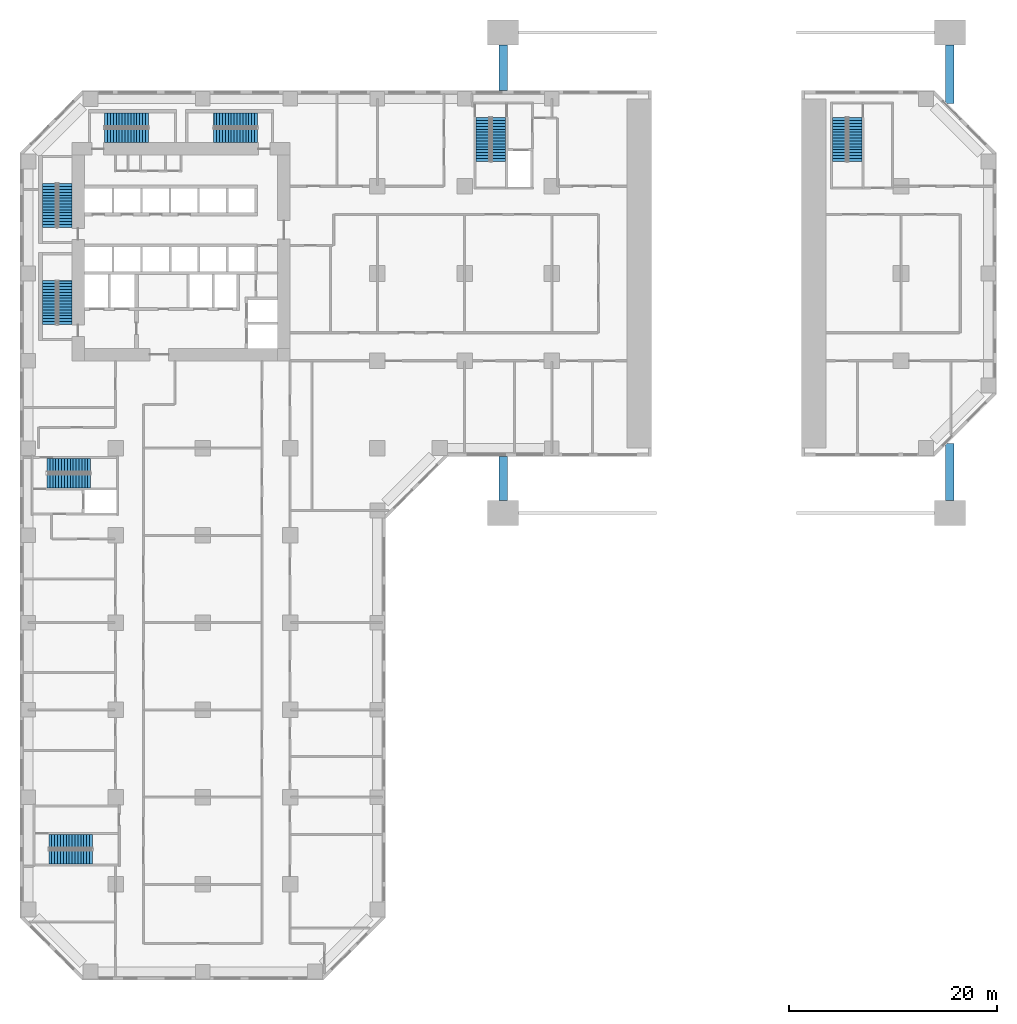
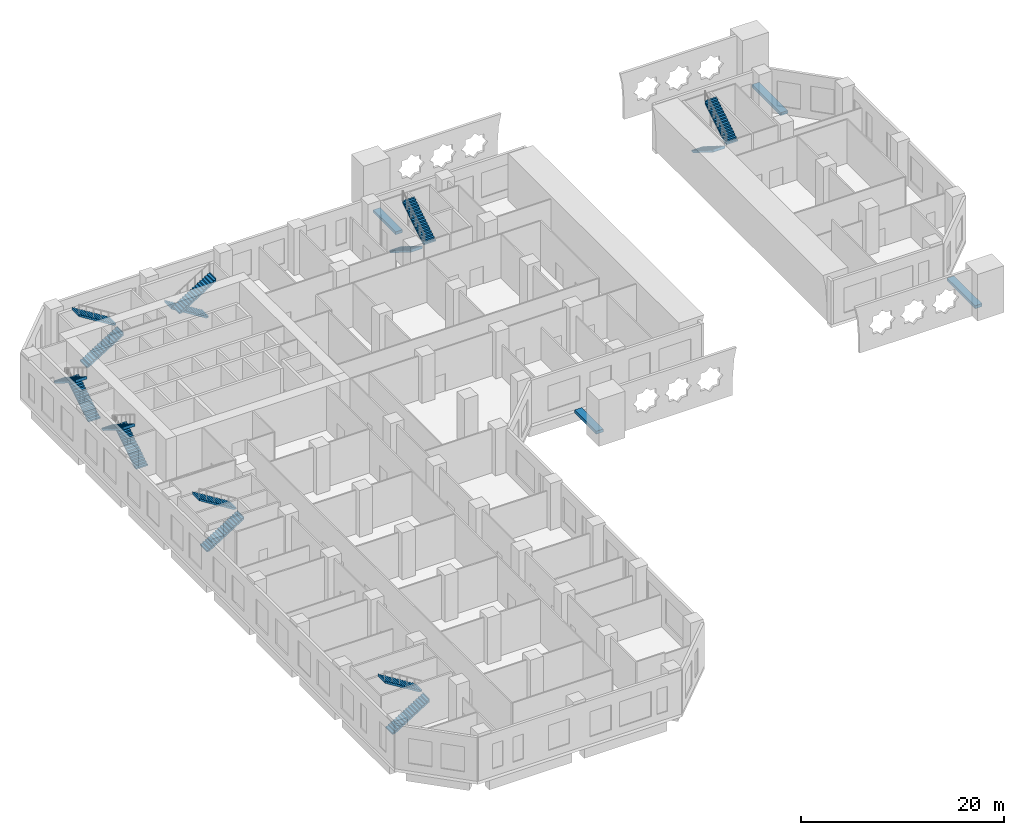
# One storey, part 11 of 17: 16 stair flights, 4 discrete accessories, 8 elements without a shape of their own.
"""IFC4 building model written with IfcOpenShell, lengths in metres."""

from ifc_helpers import new_model, si_unit, direction, frame, origin, origin_2d, place, context, subcontext, project, spatial, polyline, rectangle, outline, extrude, material, type_object, element, aggregate, save


model = new_model("IFC4")

# Units and contexts
model_context = context("Model", 3, precision=1e-05, world=origin(), true_north=direction((0.0, 1.0)))
body_context = subcontext(model_context, "Body", "Model", "MODEL_VIEW")
ifc_project = project(units=[si_unit("LENGTHUNIT", "METRE"), si_unit("AREAUNIT", "SQUARE_METRE"), si_unit("VOLUMEUNIT", "CUBIC_METRE"), si_unit("PLANEANGLEUNIT", "RADIAN"), si_unit("MASSUNIT", "GRAM", prefix="KILO")], contexts=[model_context])

# Site, building, storey
site_placement = place(None, origin())
site = spatial("IfcSite", under=ifc_project, at=site_placement, CompositionType="ELEMENT")
building_placement = place(site_placement, origin())
building = spatial("IfcBuilding", under=site, at=building_placement, Name="Kawkab Arch Medical Tower", CompositionType="ELEMENT")
storey_placement = place(building_placement, frame((0.0, 0.0, 7.0)))
storey = spatial("IfcBuildingStorey", under=building, at=storey_placement, Name="L02", CompositionType="ELEMENT", Elevation=7.0)

# Stair, stair flights
ifc_material_1 = material(Name="Concrete C40/50", Category="concrete")
stair_type = type_object("IfcStairType", Name="Exit stair 1350", PredefinedType="HALF_TURN_STAIR", material=ifc_material_1)
placement = place(storey_placement, origin())
stair_1 = element("IfcStair", 1, at=placement, inside=storey, type_object=stair_type, Name="L02 Exit stair ST1", PredefinedType="HALF_TURN_STAIR")
ifc_material_2 = material(Name="Concrete C40/50", Category="concrete")
stair_flight_type = type_object("IfcStairFlightType", Name="Exit stair flight 1350", PredefinedType="STRAIGHT", material=ifc_material_2)
stair_flight_1_placement = place(storey_placement, frame((3.52490234375, -12.35009765625, 0.0), z_axis=(0.0, 0.0, 1.0), x_axis=(0.0, 1.0, 0.0)))
stair_flight_1 = element("IfcStairFlight", 2, at=stair_flight_1_placement, type_object=stair_flight_type, Name="ST1 flight 1", NumberOfRisers=16, NumberOfTreads=15, PredefinedType="STRAIGHT", RiserHeight=0.175, TreadLength=0.28, context=body_context, shape_type="SweptSolid", body=[
    extrude(outline(polyline([(-0.0029296875, 0.0), (-0.0029296875, 0.175048828125), (0.0, 0.175048828125), (0.280029296875, 0.175048828125), (0.280029296875, 0.35009765625), (0.56005859375, 0.35009765625), (0.56005859375, 0.52490234375), (0.840087890625, 0.52490234375), (0.840087890625, 0.699951171875), (1.1201171875, 0.699951171875), (1.1201171875, 0.875), (1.39990234375, 0.875), (1.39990234375, 1.050048828125), (1.679931640625, 1.050048828125), (1.679931640625, 1.22509765625), (1.9599609375, 1.22509765625), (1.9599609375, 1.39990234375), (2.239990234375, 1.39990234375), (2.239990234375, 1.574951171875), (2.52001953125, 1.574951171875), (2.52001953125, 1.75), (2.800048828125, 1.75), (2.800048828125, 1.925048828125), (3.080078125, 1.925048828125), (3.080078125, 2.10009765625), (3.360107421875, 2.10009765625), (3.360107421875, 2.27490234375), (3.639892578125, 2.27490234375), (3.639892578125, 2.449951171875), (3.919921875, 2.449951171875), (3.919921875, 2.625), (4.199951171875, 2.625), (4.199951171875, 2.800048828125), (4.202880859375, 2.800048828125), (4.202880859375, 2.4482421875), (4.199951171875, 2.4482421875), (0.28271484375, 0.0), (-0.0029296875, 0.0)])), frame((0.0, 0.675048828125, 0.0), z_axis=(0.0, -1.0, 0.0), x_axis=(1.0, 0.0, 0.0)), (0.0, 0.0, 1.0), 1.35009765625),
])
stair_flight_2_placement = place(storey_placement, frame((2.02490234375, -8.14990234375, 2.800048828125), z_axis=(0.0, 0.0, 1.0), x_axis=(0.0, -1.0, 0.0)))
stair_flight_2 = element("IfcStairFlight", 3, at=stair_flight_2_placement, type_object=stair_flight_type, Name="ST1 flight 2", NumberOfRisers=16, NumberOfTreads=15, PredefinedType="STRAIGHT", RiserHeight=0.175, TreadLength=0.28, context=body_context, shape_type="SweptSolid", body=[
    extrude(outline(polyline([(-0.0029296875, 0.0), (-0.0029296875, 0.175048828125), (0.0, 0.175048828125), (0.280029296875, 0.175048828125), (0.280029296875, 0.35009765625), (0.56005859375, 0.35009765625), (0.56005859375, 0.52490234375), (0.840087890625, 0.52490234375), (0.840087890625, 0.699951171875), (1.1201171875, 0.699951171875), (1.1201171875, 0.875), (1.39990234375, 0.875), (1.39990234375, 1.050048828125), (1.679931640625, 1.050048828125), (1.679931640625, 1.22509765625), (1.9599609375, 1.22509765625), (1.9599609375, 1.39990234375), (2.239990234375, 1.39990234375), (2.239990234375, 1.574951171875), (2.52001953125, 1.574951171875), (2.52001953125, 1.75), (2.800048828125, 1.75), (2.800048828125, 1.925048828125), (3.080078125, 1.925048828125), (3.080078125, 2.10009765625), (3.360107421875, 2.10009765625), (3.360107421875, 2.27490234375), (3.639892578125, 2.27490234375), (3.639892578125, 2.449951171875), (3.919921875, 2.449951171875), (3.919921875, 2.625), (4.199951171875, 2.625), (4.199951171875, 2.800048828125), (4.202880859375, 2.800048828125), (4.202880859375, 2.4482421875), (4.199951171875, 2.4482421875), (0.28271484375, 0.0), (-0.0029296875, 0.0)])), frame((0.0, 0.675048828125, 0.0), z_axis=(0.0, -1.0, 0.0), x_axis=(1.0, 0.0, 0.0)), (0.0, 0.0, 1.0), 1.35009765625),
])
aggregate(stair_1, [stair_flight_1, stair_flight_2])

stair_2 = element("IfcStair", 4, at=placement, inside=storey, type_object=stair_type, Name="L02 Exit stair ST10", PredefinedType="HALF_TURN_STAIR")
stair_flight_3_placement = place(storey_placement, frame((1.97509765625, -72.97509765625, 0.0), z_axis=(0.0, 0.0, 1.0), x_axis=(1.0, 0.0, 0.0)))
stair_flight_3 = element("IfcStairFlight", 5, at=stair_flight_3_placement, type_object=stair_flight_type, Name="ST10 flight 1", NumberOfRisers=16, NumberOfTreads=15, PredefinedType="STRAIGHT", RiserHeight=0.175, TreadLength=0.28, context=body_context, shape_type="SweptSolid", body=[
    extrude(outline(polyline([(-0.0029296875, 0.0), (-0.0029296875, 0.175048828125), (0.0, 0.175048828125), (0.280029296875, 0.175048828125), (0.280029296875, 0.35009765625), (0.56005859375, 0.35009765625), (0.56005859375, 0.52490234375), (0.840087890625, 0.52490234375), (0.840087890625, 0.699951171875), (1.1201171875, 0.699951171875), (1.1201171875, 0.875), (1.39990234375, 0.875), (1.39990234375, 1.050048828125), (1.679931640625, 1.050048828125), (1.679931640625, 1.22509765625), (1.9599609375, 1.22509765625), (1.9599609375, 1.39990234375), (2.239990234375, 1.39990234375), (2.239990234375, 1.574951171875), (2.52001953125, 1.574951171875), (2.52001953125, 1.75), (2.800048828125, 1.75), (2.800048828125, 1.925048828125), (3.080078125, 1.925048828125), (3.080078125, 2.10009765625), (3.360107421875, 2.10009765625), (3.360107421875, 2.27490234375), (3.639892578125, 2.27490234375), (3.639892578125, 2.449951171875), (3.919921875, 2.449951171875), (3.919921875, 2.625), (4.199951171875, 2.625), (4.199951171875, 2.800048828125), (4.202880859375, 2.800048828125), (4.202880859375, 2.4482421875), (4.199951171875, 2.4482421875), (0.28271484375, 0.0), (-0.0029296875, 0.0)])), frame((0.0, 0.675048828125, 0.0), z_axis=(0.0, -1.0, 0.0), x_axis=(1.0, 0.0, 0.0)), (0.0, 0.0, 1.0), 1.35009765625),
])
stair_flight_4_placement = place(storey_placement, frame((6.175048828125, -71.47509765625, 2.800048828125), z_axis=(0.0, 0.0, 1.0), x_axis=(-1.0, 0.0, 0.0)))
stair_flight_4 = element("IfcStairFlight", 6, at=stair_flight_4_placement, type_object=stair_flight_type, Name="ST10 flight 2", NumberOfRisers=16, NumberOfTreads=15, PredefinedType="STRAIGHT", RiserHeight=0.175, TreadLength=0.28, context=body_context, shape_type="SweptSolid", body=[
    extrude(outline(polyline([(-0.0029296875, 0.0), (-0.0029296875, 0.175048828125), (0.0, 0.175048828125), (0.280029296875, 0.175048828125), (0.280029296875, 0.35009765625), (0.56005859375, 0.35009765625), (0.56005859375, 0.52490234375), (0.840087890625, 0.52490234375), (0.840087890625, 0.699951171875), (1.1201171875, 0.699951171875), (1.1201171875, 0.875), (1.39990234375, 0.875), (1.39990234375, 1.050048828125), (1.679931640625, 1.050048828125), (1.679931640625, 1.22509765625), (1.9599609375, 1.22509765625), (1.9599609375, 1.39990234375), (2.239990234375, 1.39990234375), (2.239990234375, 1.574951171875), (2.52001953125, 1.574951171875), (2.52001953125, 1.75), (2.800048828125, 1.75), (2.800048828125, 1.925048828125), (3.080078125, 1.925048828125), (3.080078125, 2.10009765625), (3.360107421875, 2.10009765625), (3.360107421875, 2.27490234375), (3.639892578125, 2.27490234375), (3.639892578125, 2.449951171875), (3.919921875, 2.449951171875), (3.919921875, 2.625), (4.199951171875, 2.625), (4.199951171875, 2.800048828125), (4.202880859375, 2.800048828125), (4.202880859375, 2.4482421875), (4.199951171875, 2.4482421875), (0.28271484375, 0.0), (-0.0029296875, 0.0)])), frame((0.0, 0.675048828125, 0.0), z_axis=(0.0, -1.0, 0.0), x_axis=(1.0, 0.0, 0.0)), (0.0, 0.0, 1.0), 1.35009765625),
])
aggregate(stair_2, [stair_flight_3, stair_flight_4])

stair_3 = element("IfcStair", 7, at=placement, inside=storey, type_object=stair_type, Name="L02 Exit stair ST2", PredefinedType="HALF_TURN_STAIR")
stair_flight_5_placement = place(storey_placement, frame((3.52490234375, -21.699951171875, 0.0), z_axis=(0.0, 0.0, 1.0), x_axis=(0.0, 1.0, 0.0)))
stair_flight_5 = element("IfcStairFlight", 8, at=stair_flight_5_placement, type_object=stair_flight_type, Name="ST2 flight 1", NumberOfRisers=16, NumberOfTreads=15, PredefinedType="STRAIGHT", RiserHeight=0.175, TreadLength=0.28, context=body_context, shape_type="SweptSolid", body=[
    extrude(outline(polyline([(-0.0029296875, 0.0), (-0.0029296875, 0.175048828125), (0.0, 0.175048828125), (0.280029296875, 0.175048828125), (0.280029296875, 0.35009765625), (0.56005859375, 0.35009765625), (0.56005859375, 0.52490234375), (0.840087890625, 0.52490234375), (0.840087890625, 0.699951171875), (1.1201171875, 0.699951171875), (1.1201171875, 0.875), (1.39990234375, 0.875), (1.39990234375, 1.050048828125), (1.679931640625, 1.050048828125), (1.679931640625, 1.22509765625), (1.9599609375, 1.22509765625), (1.9599609375, 1.39990234375), (2.239990234375, 1.39990234375), (2.239990234375, 1.574951171875), (2.52001953125, 1.574951171875), (2.52001953125, 1.75), (2.800048828125, 1.75), (2.800048828125, 1.925048828125), (3.080078125, 1.925048828125), (3.080078125, 2.10009765625), (3.360107421875, 2.10009765625), (3.360107421875, 2.27490234375), (3.639892578125, 2.27490234375), (3.639892578125, 2.449951171875), (3.919921875, 2.449951171875), (3.919921875, 2.625), (4.199951171875, 2.625), (4.199951171875, 2.800048828125), (4.202880859375, 2.800048828125), (4.202880859375, 2.4482421875), (4.199951171875, 2.4482421875), (0.28271484375, 0.0), (-0.0029296875, 0.0)])), frame((0.0, 0.675048828125, 0.0), z_axis=(0.0, -1.0, 0.0), x_axis=(1.0, 0.0, 0.0)), (0.0, 0.0, 1.0), 1.35009765625),
])
stair_flight_6_placement = place(storey_placement, frame((2.02490234375, -17.5, 2.800048828125), z_axis=(0.0, 0.0, 1.0), x_axis=(0.0, -1.0, 0.0)))
stair_flight_6 = element("IfcStairFlight", 9, at=stair_flight_6_placement, type_object=stair_flight_type, Name="ST2 flight 2", NumberOfRisers=16, NumberOfTreads=15, PredefinedType="STRAIGHT", RiserHeight=0.175, TreadLength=0.28, context=body_context, shape_type="SweptSolid", body=[
    extrude(outline(polyline([(-0.0029296875, 0.0), (-0.0029296875, 0.175048828125), (0.0, 0.175048828125), (0.280029296875, 0.175048828125), (0.280029296875, 0.35009765625), (0.56005859375, 0.35009765625), (0.56005859375, 0.52490234375), (0.840087890625, 0.52490234375), (0.840087890625, 0.699951171875), (1.1201171875, 0.699951171875), (1.1201171875, 0.875), (1.39990234375, 0.875), (1.39990234375, 1.050048828125), (1.679931640625, 1.050048828125), (1.679931640625, 1.22509765625), (1.9599609375, 1.22509765625), (1.9599609375, 1.39990234375), (2.239990234375, 1.39990234375), (2.239990234375, 1.574951171875), (2.52001953125, 1.574951171875), (2.52001953125, 1.75), (2.800048828125, 1.75), (2.800048828125, 1.925048828125), (3.080078125, 1.925048828125), (3.080078125, 2.10009765625), (3.360107421875, 2.10009765625), (3.360107421875, 2.27490234375), (3.639892578125, 2.27490234375), (3.639892578125, 2.449951171875), (3.919921875, 2.449951171875), (3.919921875, 2.625), (4.199951171875, 2.625), (4.199951171875, 2.800048828125), (4.202880859375, 2.800048828125), (4.202880859375, 2.4482421875), (4.199951171875, 2.4482421875), (0.28271484375, 0.0), (-0.0029296875, 0.0)])), frame((0.0, 0.675048828125, 0.0), z_axis=(0.0, -1.0, 0.0), x_axis=(1.0, 0.0, 0.0)), (0.0, 0.0, 1.0), 1.35009765625),
])
aggregate(stair_3, [stair_flight_5, stair_flight_6])

stair_4 = element("IfcStair", 10, at=placement, inside=storey, type_object=stair_type, Name="L02 Exit stair ST3", PredefinedType="HALF_TURN_STAIR")
stair_flight_7_placement = place(storey_placement, frame((7.35009765625, -3.52490234375, 0.0), z_axis=(0.0, 0.0, 1.0), x_axis=(1.0, 0.0, 0.0)))
stair_flight_7 = element("IfcStairFlight", 11, at=stair_flight_7_placement, type_object=stair_flight_type, Name="ST3 flight 1", NumberOfRisers=16, NumberOfTreads=15, PredefinedType="STRAIGHT", RiserHeight=0.175, TreadLength=0.28, context=body_context, shape_type="SweptSolid", body=[
    extrude(outline(polyline([(-0.0029296875, 0.0), (-0.0029296875, 0.175048828125), (0.0, 0.175048828125), (0.280029296875, 0.175048828125), (0.280029296875, 0.35009765625), (0.56005859375, 0.35009765625), (0.56005859375, 0.52490234375), (0.840087890625, 0.52490234375), (0.840087890625, 0.699951171875), (1.1201171875, 0.699951171875), (1.1201171875, 0.875), (1.39990234375, 0.875), (1.39990234375, 1.050048828125), (1.679931640625, 1.050048828125), (1.679931640625, 1.22509765625), (1.9599609375, 1.22509765625), (1.9599609375, 1.39990234375), (2.239990234375, 1.39990234375), (2.239990234375, 1.574951171875), (2.52001953125, 1.574951171875), (2.52001953125, 1.75), (2.800048828125, 1.75), (2.800048828125, 1.925048828125), (3.080078125, 1.925048828125), (3.080078125, 2.10009765625), (3.360107421875, 2.10009765625), (3.360107421875, 2.27490234375), (3.639892578125, 2.27490234375), (3.639892578125, 2.449951171875), (3.919921875, 2.449951171875), (3.919921875, 2.625), (4.199951171875, 2.625), (4.199951171875, 2.800048828125), (4.202880859375, 2.800048828125), (4.202880859375, 2.4482421875), (4.199951171875, 2.4482421875), (0.28271484375, 0.0), (-0.0029296875, 0.0)])), frame((0.0, 0.675048828125, 0.0), z_axis=(0.0, -1.0, 0.0), x_axis=(1.0, 0.0, 0.0)), (0.0, 0.0, 1.0), 1.35009765625),
])
stair_flight_8_placement = place(storey_placement, frame((11.550048828125, -2.02490234375, 2.800048828125), z_axis=(0.0, 0.0, 1.0), x_axis=(-1.0, 0.0, 0.0)))
stair_flight_8 = element("IfcStairFlight", 12, at=stair_flight_8_placement, type_object=stair_flight_type, Name="ST3 flight 2", NumberOfRisers=16, NumberOfTreads=15, PredefinedType="STRAIGHT", RiserHeight=0.175, TreadLength=0.28, context=body_context, shape_type="SweptSolid", body=[
    extrude(outline(polyline([(-0.0029296875, 0.0), (-0.0029296875, 0.175048828125), (0.0, 0.175048828125), (0.280029296875, 0.175048828125), (0.280029296875, 0.35009765625), (0.56005859375, 0.35009765625), (0.56005859375, 0.52490234375), (0.840087890625, 0.52490234375), (0.840087890625, 0.699951171875), (1.1201171875, 0.699951171875), (1.1201171875, 0.875), (1.39990234375, 0.875), (1.39990234375, 1.050048828125), (1.679931640625, 1.050048828125), (1.679931640625, 1.22509765625), (1.9599609375, 1.22509765625), (1.9599609375, 1.39990234375), (2.239990234375, 1.39990234375), (2.239990234375, 1.574951171875), (2.52001953125, 1.574951171875), (2.52001953125, 1.75), (2.800048828125, 1.75), (2.800048828125, 1.925048828125), (3.080078125, 1.925048828125), (3.080078125, 2.10009765625), (3.360107421875, 2.10009765625), (3.360107421875, 2.27490234375), (3.639892578125, 2.27490234375), (3.639892578125, 2.449951171875), (3.919921875, 2.449951171875), (3.919921875, 2.625), (4.199951171875, 2.625), (4.199951171875, 2.800048828125), (4.202880859375, 2.800048828125), (4.202880859375, 2.4482421875), (4.199951171875, 2.4482421875), (0.28271484375, 0.0), (-0.0029296875, 0.0)])), frame((0.0, 0.675048828125, 0.0), z_axis=(0.0, -1.0, 0.0), x_axis=(1.0, 0.0, 0.0)), (0.0, 0.0, 1.0), 1.35009765625),
])
aggregate(stair_4, [stair_flight_7, stair_flight_8])

stair_5 = element("IfcStair", 13, at=placement, inside=storey, type_object=stair_type, Name="L02 Exit stair ST4", PredefinedType="HALF_TURN_STAIR")
stair_flight_9_placement = place(storey_placement, frame((22.050048828125, -2.02490234375, 0.0), z_axis=(0.0, 0.0, 1.0), x_axis=(-1.0, 0.0, 0.0)))
stair_flight_9 = element("IfcStairFlight", 14, at=stair_flight_9_placement, type_object=stair_flight_type, Name="ST4 flight 1", NumberOfRisers=16, NumberOfTreads=15, PredefinedType="STRAIGHT", RiserHeight=0.175, TreadLength=0.28, context=body_context, shape_type="SweptSolid", body=[
    extrude(outline(polyline([(-0.0029296875, 0.0), (-0.0029296875, 0.175048828125), (0.0, 0.175048828125), (0.280029296875, 0.175048828125), (0.280029296875, 0.35009765625), (0.56005859375, 0.35009765625), (0.56005859375, 0.52490234375), (0.840087890625, 0.52490234375), (0.840087890625, 0.699951171875), (1.1201171875, 0.699951171875), (1.1201171875, 0.875), (1.39990234375, 0.875), (1.39990234375, 1.050048828125), (1.679931640625, 1.050048828125), (1.679931640625, 1.22509765625), (1.9599609375, 1.22509765625), (1.9599609375, 1.39990234375), (2.239990234375, 1.39990234375), (2.239990234375, 1.574951171875), (2.52001953125, 1.574951171875), (2.52001953125, 1.75), (2.800048828125, 1.75), (2.800048828125, 1.925048828125), (3.080078125, 1.925048828125), (3.080078125, 2.10009765625), (3.360107421875, 2.10009765625), (3.360107421875, 2.27490234375), (3.639892578125, 2.27490234375), (3.639892578125, 2.449951171875), (3.919921875, 2.449951171875), (3.919921875, 2.625), (4.199951171875, 2.625), (4.199951171875, 2.800048828125), (4.202880859375, 2.800048828125), (4.202880859375, 2.4482421875), (4.199951171875, 2.4482421875), (0.28271484375, 0.0), (-0.0029296875, 0.0)])), frame((0.0, 0.675048828125, 0.0), z_axis=(0.0, -1.0, 0.0), x_axis=(1.0, 0.0, 0.0)), (0.0, 0.0, 1.0), 1.35009765625),
])
stair_flight_10_placement = place(storey_placement, frame((17.85009765625, -3.52490234375, 2.800048828125), z_axis=(0.0, 0.0, 1.0), x_axis=(1.0, 0.0, 0.0)))
stair_flight_10 = element("IfcStairFlight", 15, at=stair_flight_10_placement, type_object=stair_flight_type, Name="ST4 flight 2", NumberOfRisers=16, NumberOfTreads=15, PredefinedType="STRAIGHT", RiserHeight=0.175, TreadLength=0.28, context=body_context, shape_type="SweptSolid", body=[
    extrude(outline(polyline([(-0.0029296875, 0.0), (-0.0029296875, 0.175048828125), (0.0, 0.175048828125), (0.280029296875, 0.175048828125), (0.280029296875, 0.35009765625), (0.56005859375, 0.35009765625), (0.56005859375, 0.52490234375), (0.840087890625, 0.52490234375), (0.840087890625, 0.699951171875), (1.1201171875, 0.699951171875), (1.1201171875, 0.875), (1.39990234375, 0.875), (1.39990234375, 1.050048828125), (1.679931640625, 1.050048828125), (1.679931640625, 1.22509765625), (1.9599609375, 1.22509765625), (1.9599609375, 1.39990234375), (2.239990234375, 1.39990234375), (2.239990234375, 1.574951171875), (2.52001953125, 1.574951171875), (2.52001953125, 1.75), (2.800048828125, 1.75), (2.800048828125, 1.925048828125), (3.080078125, 1.925048828125), (3.080078125, 2.10009765625), (3.360107421875, 2.10009765625), (3.360107421875, 2.27490234375), (3.639892578125, 2.27490234375), (3.639892578125, 2.449951171875), (3.919921875, 2.449951171875), (3.919921875, 2.625), (4.199951171875, 2.625), (4.199951171875, 2.800048828125), (4.202880859375, 2.800048828125), (4.202880859375, 2.4482421875), (4.199951171875, 2.4482421875), (0.28271484375, 0.0), (-0.0029296875, 0.0)])), frame((0.0, 0.675048828125, 0.0), z_axis=(0.0, -1.0, 0.0), x_axis=(1.0, 0.0, 0.0)), (0.0, 0.0, 1.0), 1.35009765625),
])
aggregate(stair_5, [stair_flight_9, stair_flight_10])

stair_6 = element("IfcStair", 16, at=placement, inside=storey, type_object=stair_type, Name="L02 Exit stair ST5", PredefinedType="HALF_TURN_STAIR")
stair_flight_11_placement = place(storey_placement, frame((43.77490234375, -1.800048828125, 0.0), z_axis=(0.0, 0.0, 1.0), x_axis=(0.0, -1.0, 0.0)))
stair_flight_11 = element("IfcStairFlight", 17, at=stair_flight_11_placement, type_object=stair_flight_type, Name="ST5 flight 1", NumberOfRisers=16, NumberOfTreads=15, PredefinedType="STRAIGHT", RiserHeight=0.175, TreadLength=0.28, context=body_context, shape_type="SweptSolid", body=[
    extrude(outline(polyline([(-0.0029296875, 0.0), (-0.0029296875, 0.175048828125), (0.0, 0.175048828125), (0.280029296875, 0.175048828125), (0.280029296875, 0.35009765625), (0.56005859375, 0.35009765625), (0.56005859375, 0.52490234375), (0.840087890625, 0.52490234375), (0.840087890625, 0.699951171875), (1.1201171875, 0.699951171875), (1.1201171875, 0.875), (1.39990234375, 0.875), (1.39990234375, 1.050048828125), (1.679931640625, 1.050048828125), (1.679931640625, 1.22509765625), (1.9599609375, 1.22509765625), (1.9599609375, 1.39990234375), (2.239990234375, 1.39990234375), (2.239990234375, 1.574951171875), (2.52001953125, 1.574951171875), (2.52001953125, 1.75), (2.800048828125, 1.75), (2.800048828125, 1.925048828125), (3.080078125, 1.925048828125), (3.080078125, 2.10009765625), (3.360107421875, 2.10009765625), (3.360107421875, 2.27490234375), (3.639892578125, 2.27490234375), (3.639892578125, 2.449951171875), (3.919921875, 2.449951171875), (3.919921875, 2.625), (4.199951171875, 2.625), (4.199951171875, 2.800048828125), (4.202880859375, 2.800048828125), (4.202880859375, 2.4482421875), (4.199951171875, 2.4482421875), (0.28271484375, 0.0), (-0.0029296875, 0.0)])), frame((0.0, 0.675048828125, 0.0), z_axis=(0.0, -1.0, 0.0), x_axis=(1.0, 0.0, 0.0)), (0.0, 0.0, 1.0), 1.35009765625),
])
stair_flight_12_placement = place(storey_placement, frame((45.27490234375, -6.0, 2.800048828125), z_axis=(0.0, 0.0, 1.0), x_axis=(0.0, 1.0, 0.0)))
stair_flight_12 = element("IfcStairFlight", 18, at=stair_flight_12_placement, type_object=stair_flight_type, Name="ST5 flight 2", NumberOfRisers=16, NumberOfTreads=15, PredefinedType="STRAIGHT", RiserHeight=0.175, TreadLength=0.28, context=body_context, shape_type="SweptSolid", body=[
    extrude(outline(polyline([(-0.0029296875, 0.0), (-0.0029296875, 0.175048828125), (0.0, 0.175048828125), (0.280029296875, 0.175048828125), (0.280029296875, 0.35009765625), (0.56005859375, 0.35009765625), (0.56005859375, 0.52490234375), (0.840087890625, 0.52490234375), (0.840087890625, 0.699951171875), (1.1201171875, 0.699951171875), (1.1201171875, 0.875), (1.39990234375, 0.875), (1.39990234375, 1.050048828125), (1.679931640625, 1.050048828125), (1.679931640625, 1.22509765625), (1.9599609375, 1.22509765625), (1.9599609375, 1.39990234375), (2.239990234375, 1.39990234375), (2.239990234375, 1.574951171875), (2.52001953125, 1.574951171875), (2.52001953125, 1.75), (2.800048828125, 1.75), (2.800048828125, 1.925048828125), (3.080078125, 1.925048828125), (3.080078125, 2.10009765625), (3.360107421875, 2.10009765625), (3.360107421875, 2.27490234375), (3.639892578125, 2.27490234375), (3.639892578125, 2.449951171875), (3.919921875, 2.449951171875), (3.919921875, 2.625), (4.199951171875, 2.625), (4.199951171875, 2.800048828125), (4.202880859375, 2.800048828125), (4.202880859375, 2.4482421875), (4.199951171875, 2.4482421875), (0.28271484375, 0.0), (-0.0029296875, 0.0)])), frame((0.0, 0.675048828125, 0.0), z_axis=(0.0, -1.0, 0.0), x_axis=(1.0, 0.0, 0.0)), (0.0, 0.0, 1.0), 1.35009765625),
])
aggregate(stair_6, [stair_flight_11, stair_flight_12])

stair_7 = element("IfcStair", 19, at=placement, inside=storey, type_object=stair_type, Name="L02 Exit stair ST6", PredefinedType="HALF_TURN_STAIR")
stair_flight_13_placement = place(storey_placement, frame((1.800048828125, -36.77490234375, 0.0), z_axis=(0.0, 0.0, 1.0), x_axis=(1.0, 0.0, 0.0)))
stair_flight_13 = element("IfcStairFlight", 20, at=stair_flight_13_placement, type_object=stair_flight_type, Name="ST6 flight 1", NumberOfRisers=16, NumberOfTreads=15, PredefinedType="STRAIGHT", RiserHeight=0.175, TreadLength=0.28, context=body_context, shape_type="SweptSolid", body=[
    extrude(outline(polyline([(-0.0029296875, 0.0), (-0.0029296875, 0.175048828125), (0.0, 0.175048828125), (0.280029296875, 0.175048828125), (0.280029296875, 0.35009765625), (0.56005859375, 0.35009765625), (0.56005859375, 0.52490234375), (0.840087890625, 0.52490234375), (0.840087890625, 0.699951171875), (1.1201171875, 0.699951171875), (1.1201171875, 0.875), (1.39990234375, 0.875), (1.39990234375, 1.050048828125), (1.679931640625, 1.050048828125), (1.679931640625, 1.22509765625), (1.9599609375, 1.22509765625), (1.9599609375, 1.39990234375), (2.239990234375, 1.39990234375), (2.239990234375, 1.574951171875), (2.52001953125, 1.574951171875), (2.52001953125, 1.75), (2.800048828125, 1.75), (2.800048828125, 1.925048828125), (3.080078125, 1.925048828125), (3.080078125, 2.10009765625), (3.360107421875, 2.10009765625), (3.360107421875, 2.27490234375), (3.639892578125, 2.27490234375), (3.639892578125, 2.449951171875), (3.919921875, 2.449951171875), (3.919921875, 2.625), (4.199951171875, 2.625), (4.199951171875, 2.800048828125), (4.202880859375, 2.800048828125), (4.202880859375, 2.4482421875), (4.199951171875, 2.4482421875), (0.28271484375, 0.0), (-0.0029296875, 0.0)])), frame((0.0, 0.675048828125, 0.0), z_axis=(0.0, -1.0, 0.0), x_axis=(1.0, 0.0, 0.0)), (0.0, 0.0, 1.0), 1.35009765625),
])
stair_flight_14_placement = place(storey_placement, frame((6.0, -35.27490234375, 2.800048828125), z_axis=(0.0, 0.0, 1.0), x_axis=(-1.0, 0.0, 0.0)))
stair_flight_14 = element("IfcStairFlight", 21, at=stair_flight_14_placement, type_object=stair_flight_type, Name="ST6 flight 2", NumberOfRisers=16, NumberOfTreads=15, PredefinedType="STRAIGHT", RiserHeight=0.175, TreadLength=0.28, context=body_context, shape_type="SweptSolid", body=[
    extrude(outline(polyline([(-0.0029296875, 0.0), (-0.0029296875, 0.175048828125), (0.0, 0.175048828125), (0.280029296875, 0.175048828125), (0.280029296875, 0.35009765625), (0.56005859375, 0.35009765625), (0.56005859375, 0.52490234375), (0.840087890625, 0.52490234375), (0.840087890625, 0.699951171875), (1.1201171875, 0.699951171875), (1.1201171875, 0.875), (1.39990234375, 0.875), (1.39990234375, 1.050048828125), (1.679931640625, 1.050048828125), (1.679931640625, 1.22509765625), (1.9599609375, 1.22509765625), (1.9599609375, 1.39990234375), (2.239990234375, 1.39990234375), (2.239990234375, 1.574951171875), (2.52001953125, 1.574951171875), (2.52001953125, 1.75), (2.800048828125, 1.75), (2.800048828125, 1.925048828125), (3.080078125, 1.925048828125), (3.080078125, 2.10009765625), (3.360107421875, 2.10009765625), (3.360107421875, 2.27490234375), (3.639892578125, 2.27490234375), (3.639892578125, 2.449951171875), (3.919921875, 2.449951171875), (3.919921875, 2.625), (4.199951171875, 2.625), (4.199951171875, 2.800048828125), (4.202880859375, 2.800048828125), (4.202880859375, 2.4482421875), (4.199951171875, 2.4482421875), (0.28271484375, 0.0), (-0.0029296875, 0.0)])), frame((0.0, 0.675048828125, 0.0), z_axis=(0.0, -1.0, 0.0), x_axis=(1.0, 0.0, 0.0)), (0.0, 0.0, 1.0), 1.35009765625),
])
aggregate(stair_7, [stair_flight_13, stair_flight_14])

stair_8 = element("IfcStair", 22, at=placement, inside=storey, type_object=stair_type, Name="L02 Exit stair ST7", PredefinedType="HALF_TURN_STAIR")
stair_flight_15_placement = place(storey_placement, frame((78.074951171875, -1.800048828125, 0.0), z_axis=(0.0, 0.0, 1.0), x_axis=(0.0, -1.0, 0.0)))
stair_flight_15 = element("IfcStairFlight", 23, at=stair_flight_15_placement, type_object=stair_flight_type, Name="ST7 flight 1", NumberOfRisers=16, NumberOfTreads=15, PredefinedType="STRAIGHT", RiserHeight=0.175, TreadLength=0.28, context=body_context, shape_type="SweptSolid", body=[
    extrude(outline(polyline([(-0.0029296875, 0.0), (-0.0029296875, 0.175048828125), (0.0, 0.175048828125), (0.280029296875, 0.175048828125), (0.280029296875, 0.35009765625), (0.56005859375, 0.35009765625), (0.56005859375, 0.52490234375), (0.840087890625, 0.52490234375), (0.840087890625, 0.699951171875), (1.1201171875, 0.699951171875), (1.1201171875, 0.875), (1.39990234375, 0.875), (1.39990234375, 1.050048828125), (1.679931640625, 1.050048828125), (1.679931640625, 1.22509765625), (1.9599609375, 1.22509765625), (1.9599609375, 1.39990234375), (2.239990234375, 1.39990234375), (2.239990234375, 1.574951171875), (2.52001953125, 1.574951171875), (2.52001953125, 1.75), (2.800048828125, 1.75), (2.800048828125, 1.925048828125), (3.080078125, 1.925048828125), (3.080078125, 2.10009765625), (3.360107421875, 2.10009765625), (3.360107421875, 2.27490234375), (3.639892578125, 2.27490234375), (3.639892578125, 2.449951171875), (3.919921875, 2.449951171875), (3.919921875, 2.625), (4.199951171875, 2.625), (4.199951171875, 2.800048828125), (4.202880859375, 2.800048828125), (4.202880859375, 2.4482421875), (4.199951171875, 2.4482421875), (0.28271484375, 0.0), (-0.0029296875, 0.0)])), frame((0.0, 0.675048828125, 0.0), z_axis=(0.0, -1.0, 0.0), x_axis=(1.0, 0.0, 0.0)), (0.0, 0.0, 1.0), 1.35009765625),
])
stair_flight_16_placement = place(storey_placement, frame((79.574951171875, -6.0, 2.800048828125), z_axis=(0.0, 0.0, 1.0), x_axis=(0.0, 1.0, 0.0)))
stair_flight_16 = element("IfcStairFlight", 24, at=stair_flight_16_placement, type_object=stair_flight_type, Name="ST7 flight 2", NumberOfRisers=16, NumberOfTreads=15, PredefinedType="STRAIGHT", RiserHeight=0.175, TreadLength=0.28, context=body_context, shape_type="SweptSolid", body=[
    extrude(outline(polyline([(-0.0029296875, 0.0), (-0.0029296875, 0.175048828125), (0.0, 0.175048828125), (0.280029296875, 0.175048828125), (0.280029296875, 0.35009765625), (0.56005859375, 0.35009765625), (0.56005859375, 0.52490234375), (0.840087890625, 0.52490234375), (0.840087890625, 0.699951171875), (1.1201171875, 0.699951171875), (1.1201171875, 0.875), (1.39990234375, 0.875), (1.39990234375, 1.050048828125), (1.679931640625, 1.050048828125), (1.679931640625, 1.22509765625), (1.9599609375, 1.22509765625), (1.9599609375, 1.39990234375), (2.239990234375, 1.39990234375), (2.239990234375, 1.574951171875), (2.52001953125, 1.574951171875), (2.52001953125, 1.75), (2.800048828125, 1.75), (2.800048828125, 1.925048828125), (3.080078125, 1.925048828125), (3.080078125, 2.10009765625), (3.360107421875, 2.10009765625), (3.360107421875, 2.27490234375), (3.639892578125, 2.27490234375), (3.639892578125, 2.449951171875), (3.919921875, 2.449951171875), (3.919921875, 2.625), (4.199951171875, 2.625), (4.199951171875, 2.800048828125), (4.202880859375, 2.800048828125), (4.202880859375, 2.4482421875), (4.199951171875, 2.4482421875), (0.28271484375, 0.0), (-0.0029296875, 0.0)])), frame((0.0, 0.675048828125, 0.0), z_axis=(0.0, -1.0, 0.0), x_axis=(1.0, 0.0, 0.0)), (0.0, 0.0, 1.0), 1.35009765625),
])
aggregate(stair_8, [stair_flight_15, stair_flight_16])

# Discrete accessories
ifc_material_3 = material(Name="Galvanised steel tie bracket", Category="steel")
discrete_accessory_type = type_object("IfcDiscreteAccessoryType", Name="Arch tie bracket", PredefinedType="BRACKET", material=ifc_material_3)
discrete_accessory_1_placement = place(storey_placement, frame((45.699951171875, -36.52490234375, -0.35009765625), z_axis=(0.0, 0.0, 1.0), x_axis=(1.0, 0.0, 0.0)))
element("IfcDiscreteAccessory", 25, at=discrete_accessory_1_placement, inside=storey, type_object=discrete_accessory_type, Name="Arch tie SW L02", PredefinedType="BRACKET", context=body_context, shape_type="SweptSolid", body=[
    extrude(rectangle(XDim=0.800048828125, YDim=4.25, at=origin_2d()), origin(), (0.0, 0.0, 1.0), 0.35009765625),
])
discrete_accessory_2_placement = place(storey_placement, frame((88.699951171875, -35.89990234375, -0.35009765625), z_axis=(0.0, 0.0, 1.0), x_axis=(1.0, 0.0, 0.0)))
element("IfcDiscreteAccessory", 26, at=discrete_accessory_2_placement, inside=storey, type_object=discrete_accessory_type, Name="Arch tie SE L02", PredefinedType="BRACKET", context=body_context, shape_type="SweptSolid", body=[
    extrude(rectangle(XDim=0.800048828125, YDim=5.5, at=origin_2d()), origin(), (0.0, 0.0, 1.0), 0.35009765625),
])
discrete_accessory_3_placement = place(storey_placement, frame((45.699951171875, 3.0, -0.35009765625), z_axis=(0.0, 0.0, 1.0), x_axis=(1.0, 0.0, 0.0)))
element("IfcDiscreteAccessory", 27, at=discrete_accessory_3_placement, inside=storey, type_object=discrete_accessory_type, Name="Arch tie NW L02", PredefinedType="BRACKET", context=body_context, shape_type="SweptSolid", body=[
    extrude(rectangle(XDim=0.800048828125, YDim=4.39990234375, at=origin_2d()), origin(), (0.0, 0.0, 1.0), 0.35009765625),
])
discrete_accessory_4_placement = place(storey_placement, frame((88.699951171875, 2.375, -0.35009765625), z_axis=(0.0, 0.0, 1.0), x_axis=(1.0, 0.0, 0.0)))
element("IfcDiscreteAccessory", 28, at=discrete_accessory_4_placement, inside=storey, type_object=discrete_accessory_type, Name="Arch tie NE L02", PredefinedType="BRACKET", context=body_context, shape_type="SweptSolid", body=[
    extrude(rectangle(XDim=0.800048828125, YDim=5.64990234375, at=origin_2d()), origin(), (0.0, 0.0, 1.0), 0.35009765625),
])

save(model, "model.ifc")
